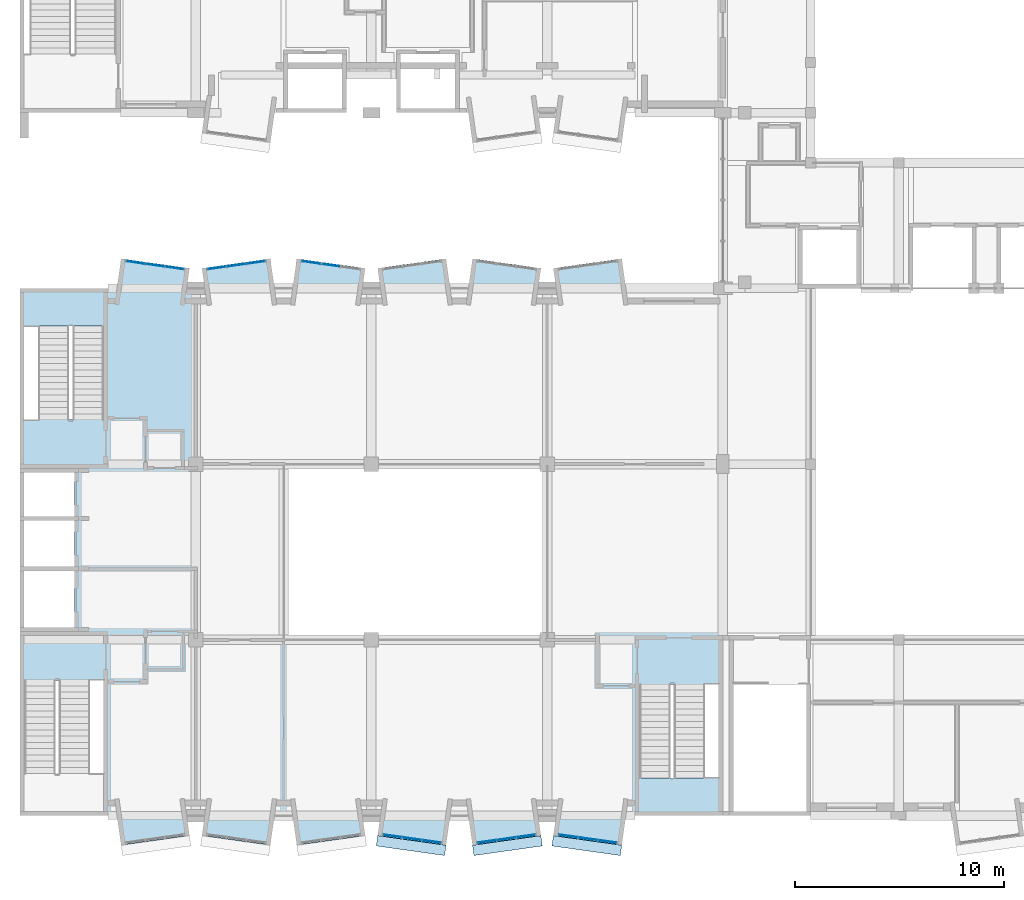
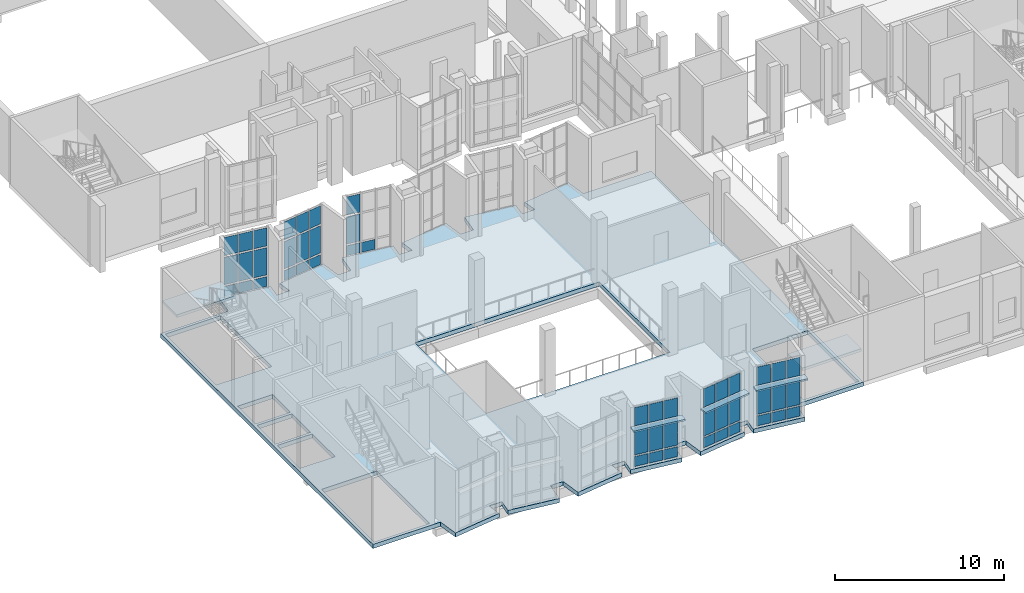
# One storey, part 50 of 100: 52 plates, 3 slabs, 8 elements without a shape of their own.
"""IFC4 building model written with IfcOpenShell, lengths in metres."""

import ifcopenshell
import ifcopenshell.guid

model = None  # the IFC model being written
_history = None  # IfcOwnerHistory: only IFC2X3 demands one
_inside = {}  # id of a spatial element -> (the spatial element, [elements in it])
_under = {}  # id of a project, library or spatial element -> (it, [spatial elements below it])
_declared = {}  # id of a project -> (the project, [libraries it declares])
_typed = {}  # id of a type object -> (the type object, [elements of that type])
_made_of = {}  # id of a material, layer set ... -> (it, [elements and type objects made of it])


def new_model(schema):
    """Start an empty IFC model of exactly this schema.

    Asked for "IFC4X3", IfcOpenShell would pick the latest addendum, in which some entities
    have other attributes; the version numbers below select the first issue.
    IFC2X3 requires an IfcOwnerHistory on every rooted entity: one is made here for all.
    """
    global model, _history
    if schema == "IFC4X3":
        model = ifcopenshell.file(schema_version=(4, 3, 0, 0))
    else:
        model = ifcopenshell.file(schema=schema)
    _inside.clear()
    _under.clear()
    _declared.clear()
    _typed.clear()
    _made_of.clear()
    _history = None
    if model.schema == "IFC2X3":
        org = make("IfcOrganization", Name="unknown")
        user = make(
            "IfcPersonAndOrganization",
            ThePerson=make("IfcPerson", FamilyName="unknown"),
            TheOrganization=org,
        )
        app = make(
            "IfcApplication",
            ApplicationDeveloper=org,
            Version="unknown",
            ApplicationFullName="unknown",
            ApplicationIdentifier="unknown",
        )
        _history = make(
            "IfcOwnerHistory",
            OwningUser=user,
            OwningApplication=app,
            ChangeAction="ADDED",
            CreationDate=0,
        )
    return model


def make(cls, **values):
    """One entity of the class cls with the attributes given. An attribute that is None is left unset."""
    return model.create_entity(
        cls, **{name: value for name, value in values.items() if value is not None}
    )


def rooted(cls, **values):
    """An entity with a GlobalId (a new one), such as an element, a storey or a relation."""
    return make(cls, GlobalId=ifcopenshell.guid.new(), OwnerHistory=_history, **values)


def si_unit(unit_type, name, prefix=None):
    """IfcSIUnit, for example si_unit("LENGTHUNIT", "METRE", prefix="MILLI")."""
    return make("IfcSIUnit", UnitType=unit_type, Prefix=prefix, Name=name)


def assignment(units):
    """IfcUnitAssignment: the units of a project."""
    return None if units is None else make("IfcUnitAssignment", Units=units)


def point(xyz):
    """IfcCartesianPoint."""
    return None if xyz is None else make("IfcCartesianPoint", Coordinates=xyz)


def direction(xyz):
    """IfcDirection."""
    return None if xyz is None else make("IfcDirection", DirectionRatios=xyz)


def frame(location, z_axis=None, x_axis=None):
    """IfcAxis2Placement3D, a coordinate frame: its origin and axes. An axis left out is left unset."""
    return make(
        "IfcAxis2Placement3D",
        Location=point(location),
        Axis=direction(z_axis),
        RefDirection=direction(x_axis),
    )


def frame_2d(location, x_axis=None):
    """IfcAxis2Placement2D, a coordinate frame in the plane: its origin and x axis."""
    return make(
        "IfcAxis2Placement2D", Location=point(location), RefDirection=direction(x_axis)
    )


def origin():
    """The frame at (0, 0, 0) with its axes left unset."""
    return frame((0.0, 0.0, 0.0))


def origin_2d():
    """The frame at (0, 0) in the plane with its x axis left unset."""
    return frame_2d((0.0, 0.0))


def place(relative_to, where):
    """IfcLocalPlacement: puts the frame where relative to a parent placement (None: the world)."""
    return make(
        "IfcLocalPlacement", PlacementRelTo=relative_to, RelativePlacement=where
    )


def context(
    kind, dimensions, precision=None, world=None, true_north=None, identifier=None
):
    """IfcGeometricRepresentationContext, for example the 3D "Model" context."""
    return make(
        "IfcGeometricRepresentationContext",
        ContextIdentifier=identifier,
        ContextType=kind,
        CoordinateSpaceDimension=dimensions,
        Precision=precision,
        WorldCoordinateSystem=world,
        TrueNorth=true_north,
    )


def subcontext(parent, identifier, kind, view, scale=None):
    """IfcGeometricRepresentationSubContext, for example "Body" below "Model"."""
    return make(
        "IfcGeometricRepresentationSubContext",
        ContextIdentifier=identifier,
        ContextType=kind,
        ParentContext=parent,
        TargetScale=scale,
        TargetView=view,
    )


def project(units=None, contexts=None):
    """IfcProject with its units and contexts."""
    return rooted(
        "IfcProject",
        Name="project",
        RepresentationContexts=contexts,
        UnitsInContext=assignment(units),
    )


def spatial(cls, under=None, at=None, **own):
    """A site, building, storey or space (cls), placed at a placement, below another one or the project."""
    s = rooted(cls, ObjectPlacement=at, **own)
    if under is not None:
        _under.setdefault(under.id(), (under, []))[1].append(s)
    return s


def polyline(points):
    """IfcPolyline through the points."""
    return make("IfcPolyline", Points=[point(p) for p in points])


def profile(cls, at=None, kind="AREA", **sizes):
    """A parametric profile (cls). Its sizes go by their IFC names, for example OverallWidth=200.0."""
    return make(cls, ProfileType=kind, Position=at, **sizes)


def rectangle(**sizes):
    """IfcRectangleProfileDef."""
    return profile("IfcRectangleProfileDef", **sizes)


def outline(outer, holes=None, kind="AREA"):
    """IfcArbitraryClosedProfileDef: a profile drawn as a closed curve; with holes, ...WithVoids."""
    if holes is None:
        return make("IfcArbitraryClosedProfileDef", ProfileType=kind, OuterCurve=outer)
    return make(
        "IfcArbitraryProfileDefWithVoids",
        ProfileType=kind,
        OuterCurve=outer,
        InnerCurves=holes,
    )


def extrude(swept, where, along, depth):
    """IfcExtrudedAreaSolid: the profile swept, set in the frame where, extruded along a direction by depth."""
    return make(
        "IfcExtrudedAreaSolid",
        SweptArea=swept,
        Position=where,
        ExtrudedDirection=direction(along),
        Depth=depth,
    )


def shape(context_of_items, identifier, shape_type, items):
    """IfcShapeRepresentation: the items that make up one representation, for example the "Body"."""
    return make(
        "IfcShapeRepresentation",
        ContextOfItems=context_of_items,
        RepresentationIdentifier=identifier,
        RepresentationType=shape_type,
        Items=items,
    )


def material(Name=None, Category=None):
    """IfcMaterial."""
    return make("IfcMaterial", Name=Name, Category=Category)


def layer(
    of_material, thickness, ventilated=None, Name=None, Category=None, Priority=None
):
    """IfcMaterialLayer: one layer of a wall or slab, of a material (None: an air gap)."""
    return make(
        "IfcMaterialLayer",
        Material=of_material,
        LayerThickness=thickness,
        IsVentilated=ventilated,
        Name=Name,
        Category=Category,
        Priority=Priority,
    )


def layer_set(layers, Name=None):
    """IfcMaterialLayerSet."""
    return make("IfcMaterialLayerSet", MaterialLayers=layers, LayerSetName=Name)


def made_of(thing, what):
    """Note that an element or type object is made of a material, layer set ...; save() writes the relation."""
    if what is not None:
        _made_of.setdefault(what.id(), (what, []))[1].append(thing)
    return thing


def type_object(cls, material=None, **own):
    """A type object (cls), such as IfcWallType, which elements share."""
    return made_of(rooted(cls, **own), material)


def element(
    cls,
    number,
    at=None,
    inside=None,
    cuts=None,
    type_object=None,
    material=None,
    context=None,
    identifier="Body",
    shape_type=None,
    held_by="IfcProductDefinitionShape",
    body=None,
    shapes=None,
    **own,
):
    """One element of the class cls, such as IfcWall. Its Tag is "e" and its number.

    at: its placement. inside: the storey or other place that contains it. cuts: it is an
    opening in that element (IfcRelVoidsElement). A single representation is given by context,
    identifier, shape_type and body (its items); several are given by shapes. held_by: the class
    of the entity that holds the representations. save() writes the other relations.
    """
    e = rooted(cls, Tag="e%d" % number, ObjectPlacement=at, **own)
    if body is not None:
        shapes = [shape(context, identifier, shape_type, body)]
    if shapes is not None:
        e.Representation = make(held_by, Representations=shapes)
    if inside is not None:
        _inside.setdefault(inside.id(), (inside, []))[1].append(e)
    if cuts is not None:
        rooted(
            "IfcRelVoidsElement", RelatingBuildingElement=cuts, RelatedOpeningElement=e
        )
    if type_object is not None:
        _typed.setdefault(type_object.id(), (type_object, []))[1].append(e)
    return made_of(e, material)


def aggregate(whole, parts):
    """IfcRelAggregates: a whole, such as a stair, and the parts it consists of."""
    return rooted("IfcRelAggregates", RelatingObject=whole, RelatedObjects=parts)


def save(model, path):
    """Write the relations noted so far, then the file.

    IfcRelAggregates (storeys below a building ...), IfcRelContainedInSpatialStructure (elements
    in a storey), IfcRelDefinesByType, IfcRelAssociatesMaterial and IfcRelDeclares: one each for
    every whole, place, type object, material and project.
    """
    for whole, parts in _under.values():
        aggregate(whole, parts)
    for where, things in _inside.values():
        rooted(
            "IfcRelContainedInSpatialStructure",
            RelatedElements=things,
            RelatingStructure=where,
        )
    for kind, things in _typed.values():
        rooted("IfcRelDefinesByType", RelatedObjects=things, RelatingType=kind)
    for what, things in _made_of.values():
        rooted("IfcRelAssociatesMaterial", RelatedObjects=things, RelatingMaterial=what)
    for by, libraries in _declared.values():
        rooted("IfcRelDeclares", RelatingContext=by, RelatedDefinitions=libraries)
    model.write(path)


model = new_model("IFC4")

# Units and contexts
model_context = context("Model", 3, precision=1e-05, world=origin(), true_north=direction((0.0, 1.0)))
body_context = subcontext(model_context, "Body", "Model", "MODEL_VIEW")
ifc_project = project(units=[si_unit("LENGTHUNIT", "METRE"), si_unit("AREAUNIT", "SQUARE_METRE"), si_unit("VOLUMEUNIT", "CUBIC_METRE"), si_unit("PLANEANGLEUNIT", "RADIAN"), si_unit("MASSUNIT", "GRAM", prefix="KILO")], contexts=[model_context])

# Site, building, storey
site_placement = place(None, origin())
site = spatial("IfcSite", under=ifc_project, at=site_placement, CompositionType="ELEMENT")
building_placement = place(site_placement, origin())
building = spatial("IfcBuilding", under=site, at=building_placement, Name="Kiln Court Media Centre", CompositionType="ELEMENT")
storey_placement = place(building_placement, frame((0.0, 0.0, 15.0)))
storey = spatial("IfcBuildingStorey", under=building, at=storey_placement, Name="L03", CompositionType="ELEMENT", Elevation=15.0)

# Slab
ifc_material_1 = material(Name="Concrete C30/37", Category="concrete")
ifc_layer_1 = layer(ifc_material_1, 0.300048828125)
ifc_layer_set_1 = layer_set([ifc_layer_1], Name="Concrete C30/37 floor slab 300")
slab_type_1 = type_object("IfcSlabType", Name="Concrete C30/37 floor slab 300", PredefinedType="FLOOR", material=ifc_layer_set_1)
slab_1_placement = place(storey_placement, frame((0.0, 0.0, -0.300048828125)))
element("IfcSlab", 1, at=slab_1_placement, inside=storey, type_object=slab_type_1, Name="L03-SL-1000", PredefinedType="FLOOR", context=body_context, shape_type="SweptSolid", body=[
    extrude(outline(polyline([(4.8330078125, -1.41845703125), (4.63330078125, 0.0), (0.0, 0.0), (0.0, 25.199951171875), (4.63330078125, 25.199951171875), (4.8330078125, 26.618408203125), (8.10107421875, 26.1591796875), (7.966796875, 25.199951171875), (8.833251953125, 25.199951171875), (8.698974609375, 26.1591796875), (11.966796875, 26.618408203125), (12.166748046875, 25.199951171875), (13.033203125, 25.199951171875), (13.233154296875, 26.618408203125), (16.501220703125, 26.1591796875), (16.36669921875, 25.199951171875), (17.2333984375, 25.199951171875), (17.098876953125, 26.1591796875), (20.366943359375, 26.618408203125), (20.566650390625, 25.199951171875), (21.433349609375, 25.199951171875), (21.633056640625, 26.618408203125), (24.901123046875, 26.1591796875), (24.7666015625, 25.199951171875), (25.63330078125, 25.199951171875), (25.498779296875, 26.1591796875), (28.766845703125, 26.618408203125), (28.966796875, 25.199951171875), (33.60009765625, 25.199951171875), (33.60009765625, 0.0), (28.966796875, 0.0), (28.766845703125, -1.41845703125), (25.498779296875, -0.958984375), (25.63330078125, 0.0), (24.7666015625, 0.0), (24.901123046875, -0.959228515625), (21.633056640625, -1.41845703125), (21.433349609375, 0.0), (20.566650390625, 0.0), (20.366943359375, -1.41845703125), (17.098876953125, -0.958984375), (17.2333984375, 0.0), (16.36669921875, 0.0), (16.501220703125, -0.959228515625), (13.233154296875, -1.41845703125), (13.033203125, 0.0), (12.166748046875, 0.0), (11.966796875, -1.41845703125), (8.698974609375, -0.959228515625), (8.833251953125, 0.0), (7.966796875, 0.0), (8.10107421875, -0.958984375), (4.8330078125, -1.41845703125)]), holes=[polyline([(0.199951171875, 0.199951171875), (4.0, 0.199951171875), (4.0, 6.4599609375), (0.199951171875, 6.4599609375), (0.199951171875, 0.199951171875)]), polyline([(29.60009765625, 0.199951171875), (33.39990234375, 0.199951171875), (33.39990234375, 6.260009765625), (29.60009765625, 6.260009765625), (29.60009765625, 0.199951171875)]), polyline([(12.60009765625, 8.39990234375), (25.199951171875, 8.39990234375), (25.199951171875, 16.800048828125), (12.60009765625, 16.800048828125), (12.60009765625, 8.39990234375)]), polyline([(0.199951171875, 9.0), (2.60009765625, 9.0), (2.60009765625, 11.699951171875), (0.199951171875, 11.699951171875), (0.199951171875, 9.0)]), polyline([(0.199951171875, 11.89990234375), (2.60009765625, 11.89990234375), (2.60009765625, 14.10009765625), (0.199951171875, 14.10009765625), (0.199951171875, 11.89990234375)]), polyline([(0.199951171875, 14.300048828125), (2.60009765625, 14.300048828125), (2.60009765625, 16.39990234375), (0.199951171875, 16.39990234375), (0.199951171875, 14.300048828125)]), polyline([(0.199951171875, 18.93994140625), (4.0, 18.93994140625), (4.0, 25.0), (0.199951171875, 25.0), (0.199951171875, 18.93994140625)])]), origin(), (0.0, 0.0, 1.0), 0.300048828125),
])

# Plates
ifc_material_2 = material(Name="Concrete C30/37", Category="concrete")
ifc_layer_2 = layer(ifc_material_2, 0.1201171875)
ifc_layer_set_2 = layer_set([ifc_layer_2], Name="Concrete C30/37 sunshade hood 120")
plate_type_1 = type_object("IfcPlateType", Name="Concrete C30/37 sunshade hood 120", PredefinedType="USERDEFINED", material=ifc_layer_set_2)
plate_1_placement = place(storey_placement, frame((0.0, 0.0, 3.0)))
element("IfcPlate", 2, at=plate_1_placement, inside=storey, type_object=plate_type_1, Name="SUNSHADE V6A-S-L03-20", ObjectType="SUNSHADE", PredefinedType="USERDEFINED", context=body_context, shape_type="SweptSolid", body=[
    extrude(outline(polyline([(17.09912109375, -0.958740234375), (20.366943359375, -1.41796875), (20.29736328125, -1.9130859375), (17.029541015625, -1.453857421875), (17.09912109375, -0.958740234375)])), origin(), (0.0, 0.0, 1.0), 0.1201171875),
])
plate_2_placement = place(storey_placement, frame((0.0, 0.0, 3.0)))
element("IfcPlate", 3, at=plate_2_placement, inside=storey, type_object=plate_type_1, Name="SUNSHADE V6A-S-L03-21", ObjectType="SUNSHADE", PredefinedType="USERDEFINED", context=body_context, shape_type="SweptSolid", body=[
    extrude(outline(polyline([(21.633056640625, -1.41796875), (24.90087890625, -0.958740234375), (24.970458984375, -1.453857421875), (21.70263671875, -1.9130859375), (21.633056640625, -1.41796875)])), origin(), (0.0, 0.0, 1.0), 0.1201171875),
])
plate_3_placement = place(storey_placement, frame((0.0, 0.0, 3.0)))
element("IfcPlate", 4, at=plate_3_placement, inside=storey, type_object=plate_type_1, Name="SUNSHADE V6A-S-L03-22", ObjectType="SUNSHADE", PredefinedType="USERDEFINED", context=body_context, shape_type="SweptSolid", body=[
    extrude(outline(polyline([(25.4990234375, -0.958740234375), (28.766845703125, -1.41796875), (28.697265625, -1.9130859375), (25.429443359375, -1.453857421875), (25.4990234375, -0.958740234375)])), origin(), (0.0, 0.0, 1.0), 0.1201171875),
])

# Stair, slab
ifc_material_3 = material(Name="Concrete C40/50", Category="concrete")
stair_type = type_object("IfcStairType", Name="Concrete C40/50 dog-leg stair 1500 wide, 150 riser", PredefinedType="HALF_TURN_STAIR", material=ifc_material_3)
stair_1_placement = place(storey_placement, origin())
stair_1 = element("IfcStair", 5, at=stair_1_placement, inside=storey, type_object=stair_type, Name="ST-02 L03", PredefinedType="HALF_TURN_STAIR")
ifc_material_4 = material(Name="Concrete C40/50", Category="concrete")
ifc_layer_3 = layer(ifc_material_4, 0.199951171875)
ifc_layer_set_3 = layer_set([ifc_layer_3], Name="Concrete C40/50 stair landing 200")
slab_type_2 = type_object("IfcSlabType", Name="Concrete C40/50 stair landing 200", PredefinedType="LANDING", material=ifc_layer_set_3)
slab_2_placement = place(storey_placement, frame((0.0, 0.0, 2.199951171875)))
slab_2 = element("IfcSlab", 6, at=slab_2_placement, type_object=slab_type_2, Name="L03-ST-5001 landing 5001", PredefinedType="LANDING", context=body_context, shape_type="SweptSolid", body=[
    extrude(outline(polyline([(4.1201171875, 23.39990234375), (4.1201171875, 25.1201171875), (0.080078125, 25.1201171875), (0.080078125, 23.39990234375), (4.1201171875, 23.39990234375)])), origin(), (0.0, 0.0, 1.0), 0.199951171875),
])
aggregate(stair_1, [slab_2])

stair_2_placement = place(storey_placement, origin())
stair_2 = element("IfcStair", 7, at=stair_2_placement, inside=storey, type_object=stair_type, Name="ST-03 L03", PredefinedType="HALF_TURN_STAIR")
slab_3_placement = place(storey_placement, frame((0.0, 0.0, 2.199951171875)))
slab_3 = element("IfcSlab", 8, at=slab_3_placement, type_object=slab_type_2, Name="L03-ST-5002 landing 5002", PredefinedType="LANDING", context=body_context, shape_type="SweptSolid", body=[
    extrude(outline(polyline([(29.47998046875, 1.800048828125), (29.47998046875, 0.080078125), (33.52001953125, 0.080078125), (33.52001953125, 1.800048828125), (29.47998046875, 1.800048828125)])), origin(), (0.0, 0.0, 1.0), 0.199951171875),
])
aggregate(stair_2, [slab_3])

# Curtain wall, plates
ifc_material_5 = material(Name="Aluminium 6063-T6", Category="aluminium")
ifc_layer_4 = layer(ifc_material_5, 0.1201171875)
ifc_layer_set_4 = layer_set([ifc_layer_4], Name="Aluminium unitised bay curtain wall")
curtain_wall_type = type_object("IfcCurtainWallType", Name="Aluminium unitised bay curtain wall", PredefinedType="USERDEFINED", material=ifc_layer_set_4)
curtain_wall_1_placement = place(storey_placement, origin())
curtain_wall_1 = element("IfcCurtainWall", 9, at=curtain_wall_1_placement, inside=storey, type_object=curtain_wall_type, Name="BAY V6A-N-L03-16 front", ObjectType="UNITISED CURTAIN WALL", PredefinedType="USERDEFINED")
ifc_material_6 = material(Name="Aluminium insulated spandrel", Category="aluminium")
ifc_layer_5 = layer(ifc_material_6, 0.028076171875)
ifc_layer_set_5 = layer_set([ifc_layer_5], Name="Insulated spandrel panel 28")
plate_type_2 = type_object("IfcPlateType", Name="Insulated spandrel panel 28", PredefinedType="CURTAIN_PANEL", material=ifc_layer_set_5)
plate_4_placement = place(storey_placement, frame((5.5234375, 26.440185546875, 0.1201171875), z_axis=(0.0, 0.0, 1.0), x_axis=(0.990269562409, -0.139162472554, 0.0)))
plate_4 = element("IfcPlate", 10, at=plate_4_placement, type_object=plate_type_2, Name="CW3-04 panel 1.1", PredefinedType="CURTAIN_PANEL", context=body_context, shape_type="SweptSolid", body=[
    extrude(rectangle(XDim=0.86669921875, YDim=0.028076171875, at=origin_2d()), origin(), (0.0, 0.0, 1.0), 0.719970703125),
])
plate_5_placement = place(storey_placement, frame((6.455810546875, 26.30908203125, 0.1201171875), z_axis=(0.0, 0.0, 1.0), x_axis=(0.990269562409, -0.139162472554, 0.0)))
plate_5 = element("IfcPlate", 11, at=plate_5_placement, type_object=plate_type_2, Name="CW3-04 panel 2.1", PredefinedType="CURTAIN_PANEL", context=body_context, shape_type="SweptSolid", body=[
    extrude(rectangle(XDim=0.896728515625, YDim=0.028076171875, at=origin_2d()), origin(), (0.0, 0.0, 1.0), 0.719970703125),
])
plate_6_placement = place(storey_placement, frame((7.388427734375, 26.177978515625, 0.1201171875), z_axis=(0.0, 0.0, 1.0), x_axis=(0.990269562409, -0.139162472554, 0.0)))
plate_6 = element("IfcPlate", 12, at=plate_6_placement, type_object=plate_type_2, Name="CW3-04 panel 3.1", PredefinedType="CURTAIN_PANEL", context=body_context, shape_type="SweptSolid", body=[
    extrude(rectangle(XDim=0.86669921875, YDim=0.028076171875, at=origin_2d()), origin(), (0.0, 0.0, 1.0), 0.719970703125),
])

curtain_wall_2_placement = place(storey_placement, origin())
curtain_wall_2 = element("IfcCurtainWall", 13, at=curtain_wall_2_placement, inside=storey, type_object=curtain_wall_type, Name="BAY V6A-N-L03-17 front", ObjectType="UNITISED CURTAIN WALL", PredefinedType="USERDEFINED")
plate_7_placement = place(storey_placement, frame((9.41162109375, 26.177978515625, 0.1201171875), z_axis=(0.0, 0.0, 1.0), x_axis=(0.990269562409, 0.139162472554, 0.0)))
plate_7 = element("IfcPlate", 14, at=plate_7_placement, type_object=plate_type_2, Name="CW3-05 panel 1.1", PredefinedType="CURTAIN_PANEL", context=body_context, shape_type="SweptSolid", body=[
    extrude(rectangle(XDim=0.86669921875, YDim=0.028076171875, at=origin_2d()), origin(), (0.0, 0.0, 1.0), 0.719970703125),
])
plate_8_placement = place(storey_placement, frame((10.34423828125, 26.30908203125, 0.1201171875), z_axis=(0.0, 0.0, 1.0), x_axis=(0.990269562409, 0.139162472554, 0.0)))
plate_8 = element("IfcPlate", 15, at=plate_8_placement, type_object=plate_type_2, Name="CW3-05 panel 2.1", PredefinedType="CURTAIN_PANEL", context=body_context, shape_type="SweptSolid", body=[
    extrude(rectangle(XDim=0.896728515625, YDim=0.028076171875, at=origin_2d()), origin(), (0.0, 0.0, 1.0), 0.719970703125),
])
plate_9_placement = place(storey_placement, frame((11.276611328125, 26.440185546875, 0.1201171875), z_axis=(0.0, 0.0, 1.0), x_axis=(0.990269562409, 0.139162472554, 0.0)))
plate_9 = element("IfcPlate", 16, at=plate_9_placement, type_object=plate_type_2, Name="CW3-05 panel 3.1", PredefinedType="CURTAIN_PANEL", context=body_context, shape_type="SweptSolid", body=[
    extrude(rectangle(XDim=0.86669921875, YDim=0.028076171875, at=origin_2d()), origin(), (0.0, 0.0, 1.0), 0.719970703125),
])

curtain_wall_3_placement = place(storey_placement, origin())
curtain_wall_3 = element("IfcCurtainWall", 17, at=curtain_wall_3_placement, inside=storey, type_object=curtain_wall_type, Name="BAY V6A-N-L03-18 front", ObjectType="UNITISED CURTAIN WALL", PredefinedType="USERDEFINED")
plate_10_placement = place(storey_placement, frame((13.92333984375, 26.440185546875, 0.1201171875), z_axis=(0.0, 0.0, 1.0), x_axis=(0.990269562409, -0.139162472554, 0.0)))
plate_10 = element("IfcPlate", 18, at=plate_10_placement, type_object=plate_type_2, Name="CW3-06 panel 1.1", PredefinedType="CURTAIN_PANEL", context=body_context, shape_type="SweptSolid", body=[
    extrude(rectangle(XDim=0.86669921875, YDim=0.028076171875, at=origin_2d()), origin(), (0.0, 0.0, 1.0), 0.719970703125),
])
plate_11_placement = place(storey_placement, frame((14.85595703125, 26.30908203125, 0.1201171875), z_axis=(0.0, 0.0, 1.0), x_axis=(0.990269562409, -0.139162472554, 0.0)))
plate_11 = element("IfcPlate", 19, at=plate_11_placement, type_object=plate_type_2, Name="CW3-06 panel 2.1", PredefinedType="CURTAIN_PANEL", context=body_context, shape_type="SweptSolid", body=[
    extrude(rectangle(XDim=0.896728515625, YDim=0.028076171875, at=origin_2d()), origin(), (0.0, 0.0, 1.0), 0.719970703125),
])

curtain_wall_4_placement = place(storey_placement, origin())
curtain_wall_4 = element("IfcCurtainWall", 20, at=curtain_wall_4_placement, inside=storey, type_object=curtain_wall_type, Name="BAY V6A-S-L03-20 front", ObjectType="UNITISED CURTAIN WALL", PredefinedType="USERDEFINED")
plate_12_placement = place(storey_placement, frame((17.8115234375, -0.97802734375, 0.1201171875), z_axis=(0.0, 0.0, 1.0), x_axis=(0.990269562409, -0.139162472554, 0.0)))
plate_12 = element("IfcPlate", 21, at=plate_12_placement, type_object=plate_type_2, Name="CW3-13 panel 1.1", PredefinedType="CURTAIN_PANEL", context=body_context, shape_type="SweptSolid", body=[
    extrude(rectangle(XDim=0.86669921875, YDim=0.028076171875, at=origin_2d()), origin(), (0.0, 0.0, 1.0), 0.719970703125),
])
plate_13_placement = place(storey_placement, frame((18.744140625, -1.109130859375, 0.1201171875), z_axis=(0.0, 0.0, 1.0), x_axis=(0.990269562409, -0.139162472554, 0.0)))
plate_13 = element("IfcPlate", 22, at=plate_13_placement, type_object=plate_type_2, Name="CW3-13 panel 2.1", PredefinedType="CURTAIN_PANEL", context=body_context, shape_type="SweptSolid", body=[
    extrude(rectangle(XDim=0.896728515625, YDim=0.028076171875, at=origin_2d()), origin(), (0.0, 0.0, 1.0), 0.719970703125),
])
plate_14_placement = place(storey_placement, frame((19.6767578125, -1.240234375, 0.1201171875), z_axis=(0.0, 0.0, 1.0), x_axis=(0.990269562409, -0.139162472554, 0.0)))
plate_14 = element("IfcPlate", 23, at=plate_14_placement, type_object=plate_type_2, Name="CW3-13 panel 3.1", PredefinedType="CURTAIN_PANEL", context=body_context, shape_type="SweptSolid", body=[
    extrude(rectangle(XDim=0.86669921875, YDim=0.028076171875, at=origin_2d()), origin(), (0.0, 0.0, 1.0), 0.719970703125),
])

curtain_wall_5_placement = place(storey_placement, origin())
curtain_wall_5 = element("IfcCurtainWall", 24, at=curtain_wall_5_placement, inside=storey, type_object=curtain_wall_type, Name="BAY V6A-S-L03-21 front", ObjectType="UNITISED CURTAIN WALL", PredefinedType="USERDEFINED")
plate_15_placement = place(storey_placement, frame((22.3232421875, -1.240234375, 0.1201171875), z_axis=(0.0, 0.0, 1.0), x_axis=(0.990269562409, 0.139162472554, 0.0)))
plate_15 = element("IfcPlate", 25, at=plate_15_placement, type_object=plate_type_2, Name="CW3-14 panel 1.1", PredefinedType="CURTAIN_PANEL", context=body_context, shape_type="SweptSolid", body=[
    extrude(rectangle(XDim=0.86669921875, YDim=0.028076171875, at=origin_2d()), origin(), (0.0, 0.0, 1.0), 0.719970703125),
])
plate_16_placement = place(storey_placement, frame((23.255859375, -1.109130859375, 0.1201171875), z_axis=(0.0, 0.0, 1.0), x_axis=(0.990269562409, 0.139162472554, 0.0)))
plate_16 = element("IfcPlate", 26, at=plate_16_placement, type_object=plate_type_2, Name="CW3-14 panel 2.1", PredefinedType="CURTAIN_PANEL", context=body_context, shape_type="SweptSolid", body=[
    extrude(rectangle(XDim=0.896728515625, YDim=0.028076171875, at=origin_2d()), origin(), (0.0, 0.0, 1.0), 0.719970703125),
])
plate_17_placement = place(storey_placement, frame((24.1884765625, -0.97802734375, 0.1201171875), z_axis=(0.0, 0.0, 1.0), x_axis=(0.990269562409, 0.139162472554, 0.0)))
plate_17 = element("IfcPlate", 27, at=plate_17_placement, type_object=plate_type_2, Name="CW3-14 panel 3.1", PredefinedType="CURTAIN_PANEL", context=body_context, shape_type="SweptSolid", body=[
    extrude(rectangle(XDim=0.86669921875, YDim=0.028076171875, at=origin_2d()), origin(), (0.0, 0.0, 1.0), 0.719970703125),
])

curtain_wall_6_placement = place(storey_placement, origin())
curtain_wall_6 = element("IfcCurtainWall", 28, at=curtain_wall_6_placement, inside=storey, type_object=curtain_wall_type, Name="BAY V6A-S-L03-22 front", ObjectType="UNITISED CURTAIN WALL", PredefinedType="USERDEFINED")
plate_18_placement = place(storey_placement, frame((26.211669921875, -0.97802734375, 0.1201171875), z_axis=(0.0, 0.0, 1.0), x_axis=(0.990269562409, -0.139162472554, 0.0)))
plate_18 = element("IfcPlate", 29, at=plate_18_placement, type_object=plate_type_2, Name="CW3-15 panel 1.1", PredefinedType="CURTAIN_PANEL", context=body_context, shape_type="SweptSolid", body=[
    extrude(rectangle(XDim=0.86669921875, YDim=0.028076171875, at=origin_2d()), origin(), (0.0, 0.0, 1.0), 0.719970703125),
])
plate_19_placement = place(storey_placement, frame((27.14404296875, -1.109130859375, 0.1201171875), z_axis=(0.0, 0.0, 1.0), x_axis=(0.990269562409, -0.139162472554, 0.0)))
plate_19 = element("IfcPlate", 30, at=plate_19_placement, type_object=plate_type_2, Name="CW3-15 panel 2.1", PredefinedType="CURTAIN_PANEL", context=body_context, shape_type="SweptSolid", body=[
    extrude(rectangle(XDim=0.896728515625, YDim=0.028076171875, at=origin_2d()), origin(), (0.0, 0.0, 1.0), 0.719970703125),
])
plate_20_placement = place(storey_placement, frame((28.07666015625, -1.240234375, 0.1201171875), z_axis=(0.0, 0.0, 1.0), x_axis=(0.990269562409, -0.139162472554, 0.0)))
plate_20 = element("IfcPlate", 31, at=plate_20_placement, type_object=plate_type_2, Name="CW3-15 panel 3.1", PredefinedType="CURTAIN_PANEL", context=body_context, shape_type="SweptSolid", body=[
    extrude(rectangle(XDim=0.86669921875, YDim=0.028076171875, at=origin_2d()), origin(), (0.0, 0.0, 1.0), 0.719970703125),
])

# Plate
ifc_material_7 = material(Name="Low-E double glazing", Category="glass")
ifc_layer_6 = layer(ifc_material_7, 0.028076171875)
ifc_layer_set_6 = layer_set([ifc_layer_6], Name="Low-E double glazed panel 28")
plate_type_3 = type_object("IfcPlateType", Name="Low-E double glazed panel 28", PredefinedType="CURTAIN_PANEL", material=ifc_layer_set_6)
plate_21_placement = place(storey_placement, frame((5.5234375, 26.440185546875, 0.9599609375), z_axis=(0.0, 0.0, 1.0), x_axis=(0.990269562409, -0.139162472554, 0.0)))
plate_21 = element("IfcPlate", 32, at=plate_21_placement, type_object=plate_type_3, Name="CW3-04 panel 1.2", PredefinedType="CURTAIN_PANEL", context=body_context, shape_type="SweptSolid", body=[
    extrude(rectangle(XDim=0.86669921875, YDim=0.028076171875, at=origin_2d()), origin(), (0.0, 0.0, 1.0), 1.97998046875),
])

plate_22_placement = place(storey_placement, frame((5.5234375, 26.440185546875, 3.06005859375), z_axis=(0.0, 0.0, 1.0), x_axis=(0.990269562409, -0.139162472554, 0.0)))
plate_22 = element("IfcPlate", 33, at=plate_22_placement, type_object=plate_type_3, Name="CW3-04 panel 1.3", PredefinedType="CURTAIN_PANEL", context=body_context, shape_type="SweptSolid", body=[
    extrude(rectangle(XDim=0.86669921875, YDim=0.028076171875, at=origin_2d()), origin(), (0.0, 0.0, 1.0), 1.320068359375),
])

plate_23_placement = place(storey_placement, frame((6.455810546875, 26.30908203125, 0.9599609375), z_axis=(0.0, 0.0, 1.0), x_axis=(0.990269562409, -0.139162472554, 0.0)))
plate_23 = element("IfcPlate", 34, at=plate_23_placement, type_object=plate_type_3, Name="CW3-04 panel 2.2", PredefinedType="CURTAIN_PANEL", context=body_context, shape_type="SweptSolid", body=[
    extrude(rectangle(XDim=0.896728515625, YDim=0.028076171875, at=origin_2d()), origin(), (0.0, 0.0, 1.0), 1.97998046875),
])

plate_24_placement = place(storey_placement, frame((6.455810546875, 26.30908203125, 3.06005859375), z_axis=(0.0, 0.0, 1.0), x_axis=(0.990269562409, -0.139162472554, 0.0)))
plate_24 = element("IfcPlate", 35, at=plate_24_placement, type_object=plate_type_3, Name="CW3-04 panel 2.3", PredefinedType="CURTAIN_PANEL", context=body_context, shape_type="SweptSolid", body=[
    extrude(rectangle(XDim=0.896728515625, YDim=0.028076171875, at=origin_2d()), origin(), (0.0, 0.0, 1.0), 1.320068359375),
])

plate_25_placement = place(storey_placement, frame((7.388427734375, 26.177978515625, 0.9599609375), z_axis=(0.0, 0.0, 1.0), x_axis=(0.990269562409, -0.139162472554, 0.0)))
plate_25 = element("IfcPlate", 36, at=plate_25_placement, type_object=plate_type_3, Name="CW3-04 panel 3.2", PredefinedType="CURTAIN_PANEL", context=body_context, shape_type="SweptSolid", body=[
    extrude(rectangle(XDim=0.86669921875, YDim=0.028076171875, at=origin_2d()), origin(), (0.0, 0.0, 1.0), 1.97998046875),
])

plate_26_placement = place(storey_placement, frame((7.388427734375, 26.177978515625, 3.06005859375), z_axis=(0.0, 0.0, 1.0), x_axis=(0.990269562409, -0.139162472554, 0.0)))
plate_26 = element("IfcPlate", 37, at=plate_26_placement, type_object=plate_type_3, Name="CW3-04 panel 3.3", PredefinedType="CURTAIN_PANEL", context=body_context, shape_type="SweptSolid", body=[
    extrude(rectangle(XDim=0.86669921875, YDim=0.028076171875, at=origin_2d()), origin(), (0.0, 0.0, 1.0), 1.320068359375),
])

aggregate(curtain_wall_1, [plate_4, plate_21, plate_22, plate_5, plate_23, plate_24, plate_6, plate_25, plate_26])

plate_27_placement = place(storey_placement, frame((9.41162109375, 26.177978515625, 0.9599609375), z_axis=(0.0, 0.0, 1.0), x_axis=(0.990269562409, 0.139162472554, 0.0)))
plate_27 = element("IfcPlate", 38, at=plate_27_placement, type_object=plate_type_3, Name="CW3-05 panel 1.2", PredefinedType="CURTAIN_PANEL", context=body_context, shape_type="SweptSolid", body=[
    extrude(rectangle(XDim=0.86669921875, YDim=0.028076171875, at=origin_2d()), origin(), (0.0, 0.0, 1.0), 1.97998046875),
])

plate_28_placement = place(storey_placement, frame((9.41162109375, 26.177978515625, 3.06005859375), z_axis=(0.0, 0.0, 1.0), x_axis=(0.990269562409, 0.139162472554, 0.0)))
plate_28 = element("IfcPlate", 39, at=plate_28_placement, type_object=plate_type_3, Name="CW3-05 panel 1.3", PredefinedType="CURTAIN_PANEL", context=body_context, shape_type="SweptSolid", body=[
    extrude(rectangle(XDim=0.86669921875, YDim=0.028076171875, at=origin_2d()), origin(), (0.0, 0.0, 1.0), 1.320068359375),
])

plate_29_placement = place(storey_placement, frame((10.34423828125, 26.30908203125, 0.9599609375), z_axis=(0.0, 0.0, 1.0), x_axis=(0.990269562409, 0.139162472554, 0.0)))
plate_29 = element("IfcPlate", 40, at=plate_29_placement, type_object=plate_type_3, Name="CW3-05 panel 2.2", PredefinedType="CURTAIN_PANEL", context=body_context, shape_type="SweptSolid", body=[
    extrude(rectangle(XDim=0.896728515625, YDim=0.028076171875, at=origin_2d()), origin(), (0.0, 0.0, 1.0), 1.97998046875),
])

plate_30_placement = place(storey_placement, frame((10.34423828125, 26.30908203125, 3.06005859375), z_axis=(0.0, 0.0, 1.0), x_axis=(0.990269562409, 0.139162472554, 0.0)))
plate_30 = element("IfcPlate", 41, at=plate_30_placement, type_object=plate_type_3, Name="CW3-05 panel 2.3", PredefinedType="CURTAIN_PANEL", context=body_context, shape_type="SweptSolid", body=[
    extrude(rectangle(XDim=0.896728515625, YDim=0.028076171875, at=origin_2d()), origin(), (0.0, 0.0, 1.0), 1.320068359375),
])

plate_31_placement = place(storey_placement, frame((11.276611328125, 26.440185546875, 0.9599609375), z_axis=(0.0, 0.0, 1.0), x_axis=(0.990269562409, 0.139162472554, 0.0)))
plate_31 = element("IfcPlate", 42, at=plate_31_placement, type_object=plate_type_3, Name="CW3-05 panel 3.2", PredefinedType="CURTAIN_PANEL", context=body_context, shape_type="SweptSolid", body=[
    extrude(rectangle(XDim=0.86669921875, YDim=0.028076171875, at=origin_2d()), origin(), (0.0, 0.0, 1.0), 1.97998046875),
])

plate_32_placement = place(storey_placement, frame((11.276611328125, 26.440185546875, 3.06005859375), z_axis=(0.0, 0.0, 1.0), x_axis=(0.990269562409, 0.139162472554, 0.0)))
plate_32 = element("IfcPlate", 43, at=plate_32_placement, type_object=plate_type_3, Name="CW3-05 panel 3.3", PredefinedType="CURTAIN_PANEL", context=body_context, shape_type="SweptSolid", body=[
    extrude(rectangle(XDim=0.86669921875, YDim=0.028076171875, at=origin_2d()), origin(), (0.0, 0.0, 1.0), 1.320068359375),
])

aggregate(curtain_wall_2, [plate_7, plate_27, plate_28, plate_8, plate_29, plate_30, plate_9, plate_31, plate_32])

plate_33_placement = place(storey_placement, frame((13.92333984375, 26.440185546875, 0.9599609375), z_axis=(0.0, 0.0, 1.0), x_axis=(0.990269562409, -0.139162472554, 0.0)))
plate_33 = element("IfcPlate", 44, at=plate_33_placement, type_object=plate_type_3, Name="CW3-06 panel 1.2", PredefinedType="CURTAIN_PANEL", context=body_context, shape_type="SweptSolid", body=[
    extrude(rectangle(XDim=0.86669921875, YDim=0.028076171875, at=origin_2d()), origin(), (0.0, 0.0, 1.0), 1.97998046875),
])

plate_34_placement = place(storey_placement, frame((13.92333984375, 26.440185546875, 3.06005859375), z_axis=(0.0, 0.0, 1.0), x_axis=(0.990269562409, -0.139162472554, 0.0)))
plate_34 = element("IfcPlate", 45, at=plate_34_placement, type_object=plate_type_3, Name="CW3-06 panel 1.3", PredefinedType="CURTAIN_PANEL", context=body_context, shape_type="SweptSolid", body=[
    extrude(rectangle(XDim=0.86669921875, YDim=0.028076171875, at=origin_2d()), origin(), (0.0, 0.0, 1.0), 1.320068359375),
])

aggregate(curtain_wall_3, [plate_10, plate_33, plate_34, plate_11])

plate_35_placement = place(storey_placement, frame((17.8115234375, -0.97802734375, 0.9599609375), z_axis=(0.0, 0.0, 1.0), x_axis=(0.990269562409, -0.139162472554, 0.0)))
plate_35 = element("IfcPlate", 46, at=plate_35_placement, type_object=plate_type_3, Name="CW3-13 panel 1.2", PredefinedType="CURTAIN_PANEL", context=body_context, shape_type="SweptSolid", body=[
    extrude(rectangle(XDim=0.86669921875, YDim=0.028076171875, at=origin_2d()), origin(), (0.0, 0.0, 1.0), 1.97998046875),
])

plate_36_placement = place(storey_placement, frame((17.8115234375, -0.97802734375, 3.06005859375), z_axis=(0.0, 0.0, 1.0), x_axis=(0.990269562409, -0.139162472554, 0.0)))
plate_36 = element("IfcPlate", 47, at=plate_36_placement, type_object=plate_type_3, Name="CW3-13 panel 1.3", PredefinedType="CURTAIN_PANEL", context=body_context, shape_type="SweptSolid", body=[
    extrude(rectangle(XDim=0.86669921875, YDim=0.028076171875, at=origin_2d()), origin(), (0.0, 0.0, 1.0), 1.320068359375),
])

plate_37_placement = place(storey_placement, frame((18.744140625, -1.109130859375, 0.9599609375), z_axis=(0.0, 0.0, 1.0), x_axis=(0.990269562409, -0.139162472554, 0.0)))
plate_37 = element("IfcPlate", 48, at=plate_37_placement, type_object=plate_type_3, Name="CW3-13 panel 2.2", PredefinedType="CURTAIN_PANEL", context=body_context, shape_type="SweptSolid", body=[
    extrude(rectangle(XDim=0.896728515625, YDim=0.028076171875, at=origin_2d()), origin(), (0.0, 0.0, 1.0), 1.97998046875),
])

plate_38_placement = place(storey_placement, frame((18.744140625, -1.109130859375, 3.06005859375), z_axis=(0.0, 0.0, 1.0), x_axis=(0.990269562409, -0.139162472554, 0.0)))
plate_38 = element("IfcPlate", 49, at=plate_38_placement, type_object=plate_type_3, Name="CW3-13 panel 2.3", PredefinedType="CURTAIN_PANEL", context=body_context, shape_type="SweptSolid", body=[
    extrude(rectangle(XDim=0.896728515625, YDim=0.028076171875, at=origin_2d()), origin(), (0.0, 0.0, 1.0), 1.320068359375),
])

plate_39_placement = place(storey_placement, frame((19.6767578125, -1.240234375, 0.9599609375), z_axis=(0.0, 0.0, 1.0), x_axis=(0.990269562409, -0.139162472554, 0.0)))
plate_39 = element("IfcPlate", 50, at=plate_39_placement, type_object=plate_type_3, Name="CW3-13 panel 3.2", PredefinedType="CURTAIN_PANEL", context=body_context, shape_type="SweptSolid", body=[
    extrude(rectangle(XDim=0.86669921875, YDim=0.028076171875, at=origin_2d()), origin(), (0.0, 0.0, 1.0), 1.97998046875),
])

plate_40_placement = place(storey_placement, frame((19.6767578125, -1.240234375, 3.06005859375), z_axis=(0.0, 0.0, 1.0), x_axis=(0.990269562409, -0.139162472554, 0.0)))
plate_40 = element("IfcPlate", 51, at=plate_40_placement, type_object=plate_type_3, Name="CW3-13 panel 3.3", PredefinedType="CURTAIN_PANEL", context=body_context, shape_type="SweptSolid", body=[
    extrude(rectangle(XDim=0.86669921875, YDim=0.028076171875, at=origin_2d()), origin(), (0.0, 0.0, 1.0), 1.320068359375),
])

aggregate(curtain_wall_4, [plate_12, plate_35, plate_36, plate_13, plate_37, plate_38, plate_14, plate_39, plate_40])

plate_41_placement = place(storey_placement, frame((22.3232421875, -1.240234375, 0.9599609375), z_axis=(0.0, 0.0, 1.0), x_axis=(0.990269562409, 0.139162472554, 0.0)))
plate_41 = element("IfcPlate", 52, at=plate_41_placement, type_object=plate_type_3, Name="CW3-14 panel 1.2", PredefinedType="CURTAIN_PANEL", context=body_context, shape_type="SweptSolid", body=[
    extrude(rectangle(XDim=0.86669921875, YDim=0.028076171875, at=origin_2d()), origin(), (0.0, 0.0, 1.0), 1.97998046875),
])

plate_42_placement = place(storey_placement, frame((22.3232421875, -1.240234375, 3.06005859375), z_axis=(0.0, 0.0, 1.0), x_axis=(0.990269562409, 0.139162472554, 0.0)))
plate_42 = element("IfcPlate", 53, at=plate_42_placement, type_object=plate_type_3, Name="CW3-14 panel 1.3", PredefinedType="CURTAIN_PANEL", context=body_context, shape_type="SweptSolid", body=[
    extrude(rectangle(XDim=0.86669921875, YDim=0.028076171875, at=origin_2d()), origin(), (0.0, 0.0, 1.0), 1.320068359375),
])

plate_43_placement = place(storey_placement, frame((23.255859375, -1.109130859375, 0.9599609375), z_axis=(0.0, 0.0, 1.0), x_axis=(0.990269562409, 0.139162472554, 0.0)))
plate_43 = element("IfcPlate", 54, at=plate_43_placement, type_object=plate_type_3, Name="CW3-14 panel 2.2", PredefinedType="CURTAIN_PANEL", context=body_context, shape_type="SweptSolid", body=[
    extrude(rectangle(XDim=0.896728515625, YDim=0.028076171875, at=origin_2d()), origin(), (0.0, 0.0, 1.0), 1.97998046875),
])

plate_44_placement = place(storey_placement, frame((23.255859375, -1.109130859375, 3.06005859375), z_axis=(0.0, 0.0, 1.0), x_axis=(0.990269562409, 0.139162472554, 0.0)))
plate_44 = element("IfcPlate", 55, at=plate_44_placement, type_object=plate_type_3, Name="CW3-14 panel 2.3", PredefinedType="CURTAIN_PANEL", context=body_context, shape_type="SweptSolid", body=[
    extrude(rectangle(XDim=0.896728515625, YDim=0.028076171875, at=origin_2d()), origin(), (0.0, 0.0, 1.0), 1.320068359375),
])

plate_45_placement = place(storey_placement, frame((24.1884765625, -0.97802734375, 0.9599609375), z_axis=(0.0, 0.0, 1.0), x_axis=(0.990269562409, 0.139162472554, 0.0)))
plate_45 = element("IfcPlate", 56, at=plate_45_placement, type_object=plate_type_3, Name="CW3-14 panel 3.2", PredefinedType="CURTAIN_PANEL", context=body_context, shape_type="SweptSolid", body=[
    extrude(rectangle(XDim=0.86669921875, YDim=0.028076171875, at=origin_2d()), origin(), (0.0, 0.0, 1.0), 1.97998046875),
])

plate_46_placement = place(storey_placement, frame((24.1884765625, -0.97802734375, 3.06005859375), z_axis=(0.0, 0.0, 1.0), x_axis=(0.990269562409, 0.139162472554, 0.0)))
plate_46 = element("IfcPlate", 57, at=plate_46_placement, type_object=plate_type_3, Name="CW3-14 panel 3.3", PredefinedType="CURTAIN_PANEL", context=body_context, shape_type="SweptSolid", body=[
    extrude(rectangle(XDim=0.86669921875, YDim=0.028076171875, at=origin_2d()), origin(), (0.0, 0.0, 1.0), 1.320068359375),
])

aggregate(curtain_wall_5, [plate_15, plate_41, plate_42, plate_16, plate_43, plate_44, plate_17, plate_45, plate_46])

plate_47_placement = place(storey_placement, frame((26.211669921875, -0.97802734375, 0.9599609375), z_axis=(0.0, 0.0, 1.0), x_axis=(0.990269562409, -0.139162472554, 0.0)))
plate_47 = element("IfcPlate", 58, at=plate_47_placement, type_object=plate_type_3, Name="CW3-15 panel 1.2", PredefinedType="CURTAIN_PANEL", context=body_context, shape_type="SweptSolid", body=[
    extrude(rectangle(XDim=0.86669921875, YDim=0.028076171875, at=origin_2d()), origin(), (0.0, 0.0, 1.0), 1.97998046875),
])

plate_48_placement = place(storey_placement, frame((26.211669921875, -0.97802734375, 3.06005859375), z_axis=(0.0, 0.0, 1.0), x_axis=(0.990269562409, -0.139162472554, 0.0)))
plate_48 = element("IfcPlate", 59, at=plate_48_placement, type_object=plate_type_3, Name="CW3-15 panel 1.3", PredefinedType="CURTAIN_PANEL", context=body_context, shape_type="SweptSolid", body=[
    extrude(rectangle(XDim=0.86669921875, YDim=0.028076171875, at=origin_2d()), origin(), (0.0, 0.0, 1.0), 1.320068359375),
])

plate_49_placement = place(storey_placement, frame((27.14404296875, -1.109130859375, 0.9599609375), z_axis=(0.0, 0.0, 1.0), x_axis=(0.990269562409, -0.139162472554, 0.0)))
plate_49 = element("IfcPlate", 60, at=plate_49_placement, type_object=plate_type_3, Name="CW3-15 panel 2.2", PredefinedType="CURTAIN_PANEL", context=body_context, shape_type="SweptSolid", body=[
    extrude(rectangle(XDim=0.896728515625, YDim=0.028076171875, at=origin_2d()), origin(), (0.0, 0.0, 1.0), 1.97998046875),
])

plate_50_placement = place(storey_placement, frame((27.14404296875, -1.109130859375, 3.06005859375), z_axis=(0.0, 0.0, 1.0), x_axis=(0.990269562409, -0.139162472554, 0.0)))
plate_50 = element("IfcPlate", 61, at=plate_50_placement, type_object=plate_type_3, Name="CW3-15 panel 2.3", PredefinedType="CURTAIN_PANEL", context=body_context, shape_type="SweptSolid", body=[
    extrude(rectangle(XDim=0.896728515625, YDim=0.028076171875, at=origin_2d()), origin(), (0.0, 0.0, 1.0), 1.320068359375),
])

plate_51_placement = place(storey_placement, frame((28.07666015625, -1.240234375, 0.9599609375), z_axis=(0.0, 0.0, 1.0), x_axis=(0.990269562409, -0.139162472554, 0.0)))
plate_51 = element("IfcPlate", 62, at=plate_51_placement, type_object=plate_type_3, Name="CW3-15 panel 3.2", PredefinedType="CURTAIN_PANEL", context=body_context, shape_type="SweptSolid", body=[
    extrude(rectangle(XDim=0.86669921875, YDim=0.028076171875, at=origin_2d()), origin(), (0.0, 0.0, 1.0), 1.97998046875),
])

plate_52_placement = place(storey_placement, frame((28.07666015625, -1.240234375, 3.06005859375), z_axis=(0.0, 0.0, 1.0), x_axis=(0.990269562409, -0.139162472554, 0.0)))
plate_52 = element("IfcPlate", 63, at=plate_52_placement, type_object=plate_type_3, Name="CW3-15 panel 3.3", PredefinedType="CURTAIN_PANEL", context=body_context, shape_type="SweptSolid", body=[
    extrude(rectangle(XDim=0.86669921875, YDim=0.028076171875, at=origin_2d()), origin(), (0.0, 0.0, 1.0), 1.320068359375),
])

aggregate(curtain_wall_6, [plate_18, plate_47, plate_48, plate_19, plate_49, plate_50, plate_20, plate_51, plate_52])

save(model, "model.ifc")
